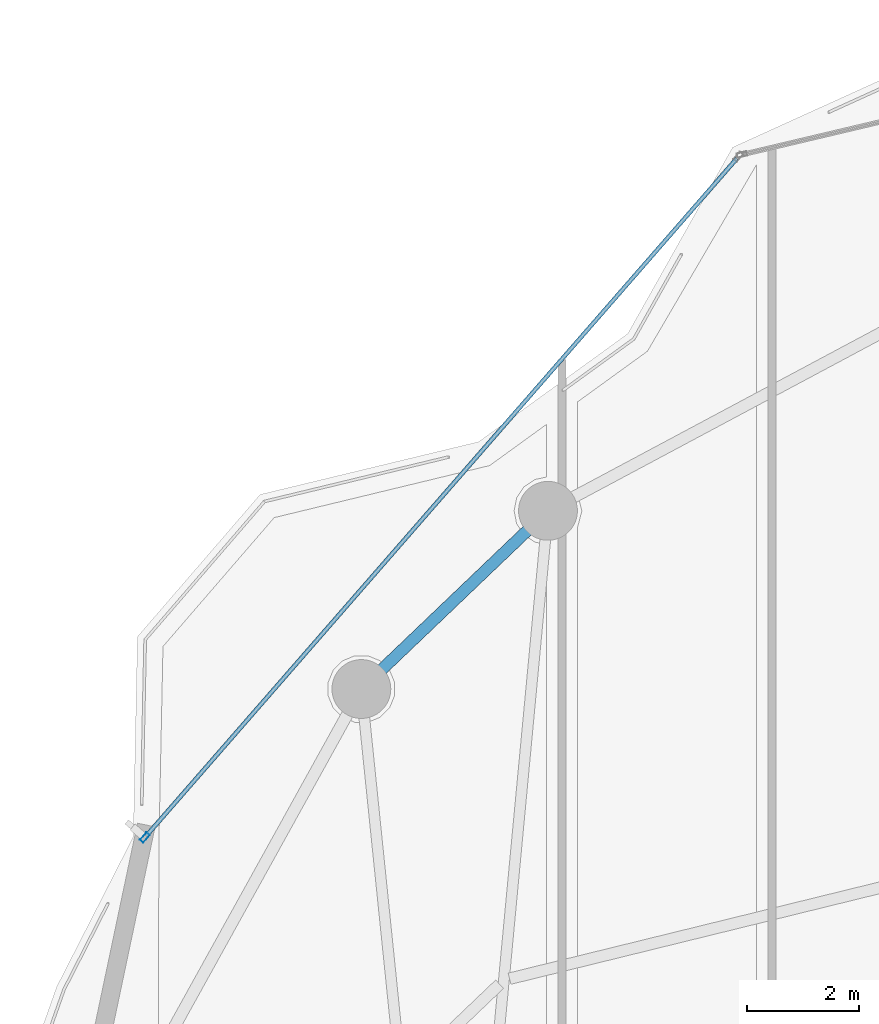
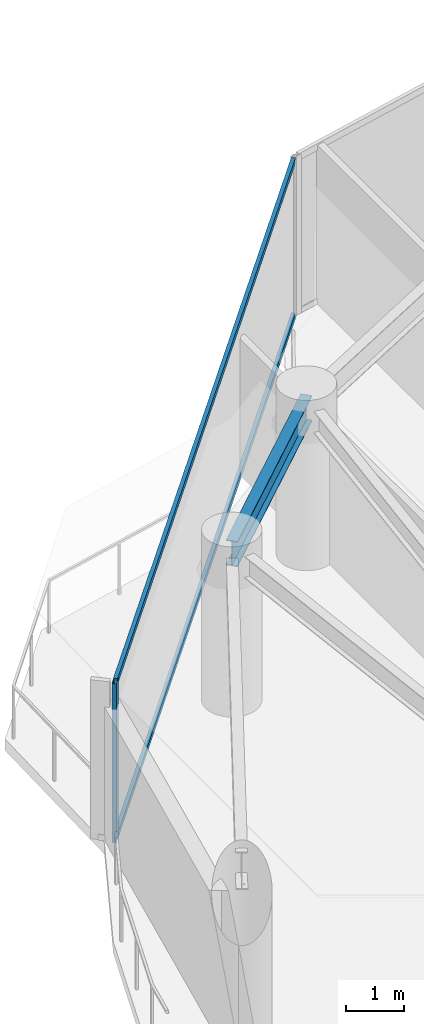
# One storey, part 16 of 29: 3 members, 1 beam, 1 element without a shape of its own.
"""IFC4 building model written with IfcOpenShell, lengths in metres."""

from ifc_helpers import new_model, si_unit, direction, frame, origin, origin_2d, place, context, subcontext, project, spatial, hollow_rectangle, i_section, extrude, material, layer, layer_set, material_profile, profile_set, type_object, element, aggregate, save


model = new_model("IFC4")

# Units and contexts
model_context = context("Model", 3, precision=1e-05, world=origin(), true_north=direction((0.0, 1.0)))
body_context = subcontext(model_context, "Body", "Model", "MODEL_VIEW")
ifc_project = project(units=[si_unit("LENGTHUNIT", "METRE"), si_unit("AREAUNIT", "SQUARE_METRE"), si_unit("VOLUMEUNIT", "CUBIC_METRE"), si_unit("PLANEANGLEUNIT", "RADIAN"), si_unit("MASSUNIT", "GRAM", prefix="KILO")], contexts=[model_context])

# Site, building, storey
site_placement = place(None, origin())
site = spatial("IfcSite", under=ifc_project, at=site_placement, CompositionType="ELEMENT")
building_placement = place(site_placement, origin())
building = spatial("IfcBuilding", under=site, at=building_placement, Name="Kazevale Care Tower and Concert Hall", CompositionType="ELEMENT")
storey_placement = place(building_placement, frame((0.0, 0.0, 195.60009765625)))
storey = spatial("IfcBuildingStorey", under=building, at=storey_placement, Name="L51", CompositionType="ELEMENT", Elevation=195.60009765625)

# Curtain wall, members
ifc_material_1 = material(Name="Aluminium 6063-T6 and Low-E Glass", Category="aluminium")
ifc_layer = layer(ifc_material_1, 0.179931640625)
ifc_layer_set = layer_set([ifc_layer], Name="Aluminium 6063-T6 and Low-E Glass")
curtain_wall_type = type_object("IfcCurtainWallType", Name="Convex Checkerboard Finned Curtain Wall CW-2", PredefinedType="NOTDEFINED", material=ifc_layer_set)
curtain_wall_placement = place(storey_placement, origin())
curtain_wall = element("IfcCurtainWall", 1, at=curtain_wall_placement, inside=storey, type_object=curtain_wall_type, Name="cw:L51:f14", PredefinedType="NOTDEFINED")
ifc_material_2 = material(Name="Aluminium 6063-T6", Category="aluminium")
ifc_material_profile_1 = material_profile(ifc_material_2, hollow_rectangle(XDim=0.080078125, YDim=0.179931640625, WallThickness=0.0048828125, at=origin_2d()), Name="ALU80x180x5")
ifc_profile_set_1 = profile_set([ifc_material_profile_1], Name="Aluminium 6063-T6")
member_type_1 = type_object("IfcMemberType", Name="CW-2 Mullion ALU80x180x5", PredefinedType="MULLION", material=ifc_profile_set_1)
member_1_placement = place(storey_placement, frame((16.55419921875, 49.17919921875, 0.0), z_axis=(0.0, 0.0, 1.0), x_axis=(-0.753738225685, 0.657174776708, 0.0)))
member_1 = element("IfcMember", 2, at=member_1_placement, type_object=member_type_1, Name="CW-2 mullion 1", PredefinedType="MULLION", context=body_context, shape_type="SweptSolid", body=[
    extrude(hollow_rectangle(XDim=0.080078125, YDim=0.179931640625, WallThickness=0.0048828125, at=origin_2d()), origin(), (0.0, 0.0, 1.0), 3.35986328125),
])
ifc_material_profile_2 = material_profile(ifc_material_2, hollow_rectangle(XDim=0.074951171875, YDim=0.1201171875, WallThickness=0.00390625, at=origin_2d()), Name="ALU75x120x4")
ifc_profile_set_2 = profile_set([ifc_material_profile_2], Name="Aluminium 6063-T6")
member_type_2 = type_object("IfcMemberType", Name="CW-2 Transom ALU75x120x4", PredefinedType="USERDEFINED", material=ifc_profile_set_2)
member_2_placement = place(storey_placement, frame((16.58056640625, 49.209228515625, 0.037353515625), z_axis=(0.657173569472, 0.753739278257, 0.0), x_axis=(-0.753739278257, 0.657173569472, 0.0)))
member_2 = element("IfcMember", 3, at=member_2_placement, type_object=member_type_2, Name="CW-2 transom 1.1", ObjectType="TRANSOM", PredefinedType="USERDEFINED", context=body_context, shape_type="SweptSolid", body=[
    extrude(hollow_rectangle(XDim=0.074951171875, YDim=0.1201171875, WallThickness=0.00390625, at=origin_2d()), origin(), (0.0, 0.0, 1.0), 16.03662109375),
])
member_3_placement = place(storey_placement, frame((16.58056640625, 49.209228515625, 3.322509765625), z_axis=(0.657173569472, 0.753739278257, 0.0), x_axis=(-0.753739278257, 0.657173569472, 0.0)))
member_3 = element("IfcMember", 4, at=member_3_placement, type_object=member_type_2, Name="CW-2 transom 1.2", ObjectType="TRANSOM", PredefinedType="USERDEFINED", context=body_context, shape_type="SweptSolid", body=[
    extrude(hollow_rectangle(XDim=0.074951171875, YDim=0.1201171875, WallThickness=0.00390625, at=origin_2d()), origin(), (0.0, 0.0, 1.0), 16.03662109375),
])
aggregate(curtain_wall, [member_1, member_2, member_3])

# Beam
ifc_material_3 = material(Name="Steel ASTM A572 Gr 50", Category="steel")
ifc_material_profile_3 = material_profile(ifc_material_3, i_section(OverallWidth=0.208984375, OverallDepth=0.532958984375, WebThickness=0.01025390625, FlangeThickness=0.015625, at=origin_2d()), Name="W530x92")
ifc_profile_set_3 = profile_set([ifc_material_profile_3], Name="Steel ASTM A572 Gr 50")
beam_type = type_object("IfcBeamType", Name="Upper Ring Beam W530x92", PredefinedType="BEAM", material=ifc_profile_set_3)
beam_placement = place(storey_placement, frame((23.75, 55.010009765625, 3.093505859375), z_axis=(-0.723223118589, -0.690614451585, 0.0), x_axis=(0.690614451585, -0.723223118589, 0.0)))
element("IfcBeam", 5, at=beam_placement, inside=storey, type_object=beam_type, Name="beam:L51:ring:07", PredefinedType="BEAM", context=body_context, shape_type="SweptSolid", body=[
    extrude(i_section(OverallWidth=0.208984375, OverallDepth=0.532958984375, WebThickness=0.01025390625, FlangeThickness=0.015625, at=origin_2d()), origin(), (0.0, 0.0, 1.0), 4.6044921875),
])

save(model, "model.ifc")
